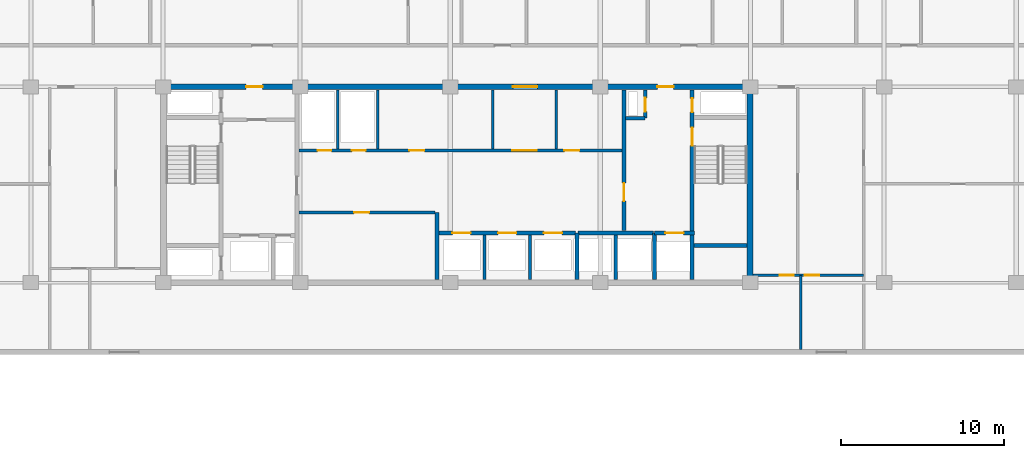
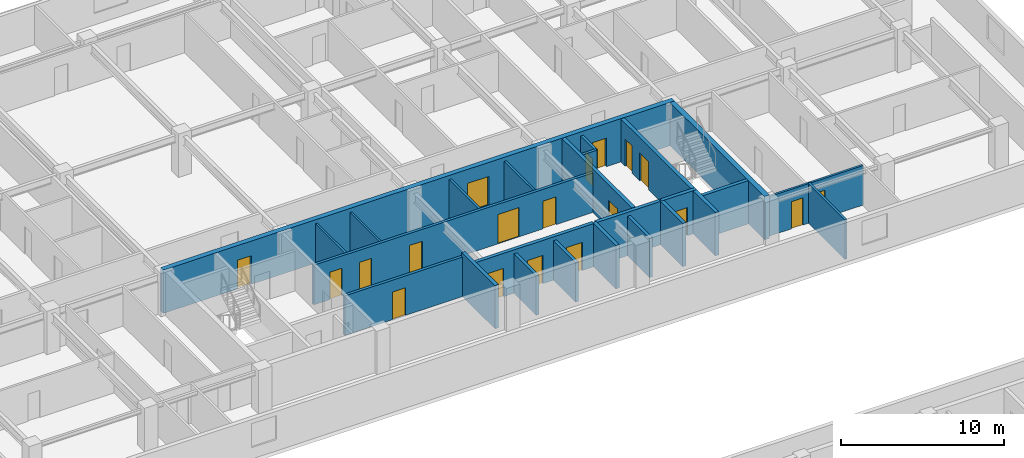
# One storey, part 11 of 21: 24 walls, 19 doors, 19 openings.
"""IFC4 building model written with IfcOpenShell, lengths in metres."""

from ifc_helpers import new_model, si_unit, direction, frame, frame_2d, origin, place, context, subcontext, project, spatial, rectangle, extrude, material, layer, layer_set, type_object, element, fill, save


model = new_model("IFC4")

# Units and contexts
model_context = context("Model", 3, precision=1e-05, world=origin(), true_north=direction((0.0, 1.0)))
body_context = subcontext(model_context, "Body", "Model", "MODEL_VIEW")
ifc_project = project(units=[si_unit("LENGTHUNIT", "METRE"), si_unit("AREAUNIT", "SQUARE_METRE"), si_unit("VOLUMEUNIT", "CUBIC_METRE"), si_unit("PLANEANGLEUNIT", "RADIAN"), si_unit("MASSUNIT", "GRAM", prefix="KILO")], contexts=[model_context])

# Site, building, storey
site_placement = place(None, origin())
site = spatial("IfcSite", under=ifc_project, at=site_placement, CompositionType="ELEMENT")
building_placement = place(site_placement, origin())
building = spatial("IfcBuilding", under=site, at=building_placement, Name="Korimba Cascade Residences", CompositionType="ELEMENT")
storey_placement = place(building_placement, frame((0.0, 0.0, 106.800048828125)))
storey = spatial("IfcBuildingStorey", under=building, at=storey_placement, Name="L30", CompositionType="ELEMENT", Elevation=106.800048828125)

# Wall
ifc_material_1 = material(Name="Concrete C65/80", Category="concrete")
ifc_layer_1 = layer(ifc_material_1, 0.35009765625)
ifc_layer_set_1 = layer_set([ifc_layer_1], Name="Concrete C65/80")
wall_type_1 = type_object("IfcWallType", Name="WAL-CORE-350", PredefinedType="SHEAR", material=ifc_layer_set_1)
wall_1_placement = place(storey_placement, frame((112.074951171875, 55.375, 0.0), z_axis=(0.0, 0.0, 1.0), x_axis=(0.0, 1.0, 0.0)))
element("IfcWall", 1, at=wall_1_placement, inside=storey, type_object=wall_type_1, Name="L30 Core Shear Wall CW-L30-T1-E", PredefinedType="SHEAR", context=body_context, shape_type="SweptSolid", body=[
    extrude(rectangle(XDim=11.64990234375, YDim=0.35009765625, at=frame_2d((5.824951171875, 0.0))), origin(), (0.0, 0.0, 1.0), 3.25),
])

# Wall, openings, doors
wall_2_placement = place(storey_placement, frame((75.949951171875, 67.199951171875, 0.0), z_axis=(0.0, 0.0, 1.0), x_axis=(1.0, 0.0, 0.0)))
wall_2 = element("IfcWall", 2, at=wall_2_placement, inside=storey, type_object=wall_type_1, Name="L30 Core Shear Wall CW-L30-T1-N", PredefinedType="SHEAR", context=body_context, shape_type="SweptSolid", body=[
    extrude(rectangle(XDim=36.300048828125, YDim=0.35009765625, at=frame_2d((18.14990234375, 0.0))), origin(), (0.0, 0.0, 1.0), 3.25),
])
opening_1_placement = place(wall_2_placement, frame((5.25, 0.0, 0.0)))
opening_1 = element("IfcOpeningElement", 3, at=opening_1_placement, cuts=wall_2, Name="Opening D-FD5", PredefinedType="OPENING", context=body_context, shape_type="SweptSolid", body=[
    extrude(rectangle(XDim=1.0, YDim=2.14990234375, at=frame_2d((0.5, 1.074951171875))), frame((0.0, 0.18505859375, 0.0), z_axis=(0.0, -1.0, 0.0), x_axis=(1.0, 0.0, 0.0)), (0.0, 0.0, 1.0), 0.3701171875),
])
opening_2_placement = place(wall_2_placement, frame((21.60009765625, 0.0, 0.0)))
opening_2 = element("IfcOpeningElement", 4, at=opening_2_placement, cuts=wall_2, Name="Opening D-FD8", PredefinedType="OPENING", context=body_context, shape_type="SweptSolid", body=[
    extrude(rectangle(XDim=1.5, YDim=2.199951171875, at=frame_2d((0.75, 1.10009765625))), frame((0.0, 0.18505859375, 0.0), z_axis=(0.0, -1.0, 0.0), x_axis=(1.0, 0.0, 0.0)), (0.0, 0.0, 1.0), 0.3701171875),
])
opening_3_placement = place(wall_2_placement, frame((30.449951171875, 0.0, 0.0)))
opening_3 = element("IfcOpeningElement", 5, at=opening_3_placement, cuts=wall_2, Name="Opening D-FD5", PredefinedType="OPENING", context=body_context, shape_type="SweptSolid", body=[
    extrude(rectangle(XDim=1.0, YDim=2.14990234375, at=frame_2d((0.5, 1.074951171875))), frame((0.0, 0.18505859375, 0.0), z_axis=(0.0, -1.0, 0.0), x_axis=(1.0, 0.0, 0.0)), (0.0, 0.0, 1.0), 0.3701171875),
])
ifc_material_2 = material(Name="Fire-Rated Acoustic Timber Vestibule Door", Category="wood")
door_type_1 = type_object("IfcDoorType", Name="DR-FD90-1000", OperationType="NOTDEFINED", PredefinedType="DOOR", material=ifc_material_2)
door_1_placement = place(opening_1_placement, origin())
door_1 = element("IfcDoor", 6, at=door_1_placement, inside=storey, type_object=door_type_1, Name="L30 T1 West Core Vestibule Fire Door", OperationType="SINGLE_SWING_RIGHT", OverallHeight=2.14990234375, OverallWidth=1.0, PredefinedType="DOOR", context=body_context, shape_type="SweptSolid", body=[
    extrude(rectangle(XDim=1.0, YDim=2.14990234375, at=frame_2d((0.5, 1.074951171875))), frame((0.0, 0.02490234375, 0.0), z_axis=(0.0, -1.0, 0.0), x_axis=(1.0, 0.0, 0.0)), (0.0, 0.0, 1.0), 0.050048828125),
])
fill(opening_1, door_1)
door_2_placement = place(opening_3_placement, origin())
door_2 = element("IfcDoor", 7, at=door_2_placement, inside=storey, type_object=door_type_1, Name="L30 T1 East Firefighting Vestibule Fire Door", OperationType="SINGLE_SWING_LEFT", OverallHeight=2.14990234375, OverallWidth=1.0, PredefinedType="DOOR", context=body_context, shape_type="SweptSolid", body=[
    extrude(rectangle(XDim=1.0, YDim=2.14990234375, at=frame_2d((0.5, 1.074951171875))), frame((0.0, 0.02490234375, 0.0), z_axis=(0.0, -1.0, 0.0), x_axis=(1.0, 0.0, 0.0)), (0.0, 0.0, 1.0), 0.050048828125),
])
fill(opening_3, door_2)
ifc_material_3 = material(Name="Fire-Rated Glazed Lift Lobby Double Door", Category="glass")
door_type_2 = type_object("IfcDoorType", Name="DR-FD90-1500", OperationType="NOTDEFINED", PredefinedType="DOOR", material=ifc_material_3)
door_3_placement = place(opening_2_placement, origin())
door_3 = element("IfcDoor", 8, at=door_3_placement, inside=storey, type_object=door_type_2, Name="L30 T1 Lift Lobby Fire Door", OperationType="DOUBLE_DOOR_SINGLE_SWING", OverallHeight=2.199951171875, OverallWidth=1.5, PredefinedType="DOOR", context=body_context, shape_type="SweptSolid", body=[
    extrude(rectangle(XDim=1.5, YDim=2.199951171875, at=frame_2d((0.75, 1.10009765625))), frame((0.0, 0.02490234375, 0.0), z_axis=(0.0, -1.0, 0.0), x_axis=(1.0, 0.0, 0.0)), (0.0, 0.0, 1.0), 0.050048828125),
])
fill(opening_2, door_3)

# Walls
ifc_material_4 = material(Name="Insulated Acoustic Stud Partition", Category="gypsum")
ifc_layer_2 = layer(ifc_material_4, 0.14990234375)
ifc_layer_set_2 = layer_set([ifc_layer_2], Name="Insulated Acoustic Stud Partition")
wall_type_2 = type_object("IfcWallType", Name="WAL-PART-150", PredefinedType="PARTITIONING", material=ifc_layer_set_2)
for number, where, z_axis, x_axis, name in (
    (9, (86.800048828125, 63.39990234375, 0.0), (0.0, 0.0, 1.0), (0.0, 1.0, 0.0), "L30 Partition Wall CW-L30-T1-ERDIV"),
    (10, (89.25, 63.39990234375, 0.0), (0.0, 0.0, 1.0), (0.0, 1.0, 0.0), "L30 Partition Wall CW-L30-T1-PRDIV"),
    (11, (96.300048828125, 63.39990234375, 0.0), (0.0, 0.0, 1.0), (0.0, 1.0, 0.0), "L30 Partition Wall CW-L30-T1-THW"),
    (12, (100.199951171875, 63.39990234375, 0.0), (0.0, 0.0, 1.0), (0.0, 1.0, 0.0), "L30 Partition Wall CW-L30-T1-THE"),
):
    element("IfcWall", number, at=place(storey_placement, frame(where, z_axis=z_axis, x_axis=x_axis)), inside=storey, type_object=wall_type_2, Name=name, PredefinedType="PARTITIONING", context=body_context, shape_type="SweptSolid", body=[
        extrude(rectangle(XDim=3.60009765625, YDim=0.14990234375, at=frame_2d((1.800048828125, 0.0))), origin(), (0.0, 0.0, 1.0), 2.969970703125),
    ])
wall_3_placement = place(storey_placement, frame((115.199951171875, 51.10009765625, 0.0), z_axis=(0.0, 0.0, 1.0), x_axis=(0.0, 1.0, 0.0)))
element("IfcWall", 13, at=wall_3_placement, inside=storey, type_object=wall_type_2, Name="L30 Partition Wall WAL-L30-T1-FE-VS", PredefinedType="PARTITIONING", context=body_context, shape_type="SweptSolid", body=[
    extrude(rectangle(XDim=4.5498046875, YDim=0.14990234375, at=frame_2d((2.27490234375, 0.0))), origin(), (0.0, 0.0, 1.0), 2.969970703125),
])

# Wall, openings, doors
wall_4_placement = place(storey_placement, frame((112.27001953125, 55.64990234375, 0.0), z_axis=(0.0, 0.0, 1.0), x_axis=(1.0, 0.0, 0.0)))
wall_4 = element("IfcWall", 14, at=wall_4_placement, inside=storey, type_object=wall_type_2, Name="L30 Partition Wall WAL-L30-T1-FE-H", PredefinedType="PARTITIONING", context=body_context, shape_type="SweptSolid", body=[
    extrude(rectangle(XDim=6.760009765625, YDim=0.14990234375, at=frame_2d((3.3798828125, 0.0))), origin(), (0.0, 0.0, 1.0), 2.969970703125),
])
opening_4_placement = place(wall_4_placement, frame((1.6396484375, 0.0, 0.0)))
opening_4 = element("IfcOpeningElement", 15, at=opening_4_placement, cuts=wall_4, Name="Opening D-BT1", PredefinedType="OPENING", context=body_context, shape_type="SweptSolid", body=[
    extrude(rectangle(XDim=0.840087890625, YDim=2.0400390625, at=frame_2d((0.419921875, 1.02001953125))), frame((0.0, 0.0849609375, 0.0), z_axis=(0.0, -1.0, 0.0), x_axis=(1.0, 0.0, 0.0)), (0.0, 0.0, 1.0), 0.169921875),
])
opening_5_placement = place(wall_4_placement, frame((3.160400390625, 0.0, 0.0)))
opening_5 = element("IfcOpeningElement", 16, at=opening_5_placement, cuts=wall_4, Name="Opening D-IN2", PredefinedType="OPENING", context=body_context, shape_type="SweptSolid", body=[
    extrude(rectangle(XDim=0.8798828125, YDim=2.06005859375, at=frame_2d((0.43994140625, 1.030029296875))), frame((0.0, 0.0849609375, 0.0), z_axis=(0.0, -1.0, 0.0), x_axis=(1.0, 0.0, 0.0)), (0.0, 0.0, 1.0), 0.169921875),
])
ifc_material_5 = material(Name="Moisture-Resistant Bathroom Timber Door", Category="wood")
door_type_3 = type_object("IfcDoorType", Name="DR-INT-850", OperationType="NOTDEFINED", PredefinedType="DOOR", material=ifc_material_5)
door_4_placement = place(opening_4_placement, origin())
door_4 = element("IfcDoor", 17, at=door_4_placement, inside=storey, type_object=door_type_3, Name="L30-T1-FE Bathroom Door", OperationType="SINGLE_SWING_RIGHT", OverallHeight=2.0400390625, OverallWidth=0.840087890625, PredefinedType="DOOR", context=body_context, shape_type="SweptSolid", body=[
    extrude(rectangle(XDim=0.840087890625, YDim=2.0400390625, at=frame_2d((0.419921875, 1.02001953125))), frame((0.0, 0.02490234375, 0.0), z_axis=(0.0, -1.0, 0.0), x_axis=(1.0, 0.0, 0.0)), (0.0, 0.0, 1.0), 0.050048828125),
])
fill(opening_4, door_4)
ifc_material_6 = material(Name="Acoustic Timber Bedroom Door", Category="wood")
door_type_4 = type_object("IfcDoorType", Name="DR-INT-880", OperationType="NOTDEFINED", PredefinedType="DOOR", material=ifc_material_6)
door_5_placement = place(opening_5_placement, origin())
door_5 = element("IfcDoor", 18, at=door_5_placement, inside=storey, type_object=door_type_4, Name="L30-T1-FE Bedroom Door", OperationType="SINGLE_SWING_LEFT", OverallHeight=2.06005859375, OverallWidth=0.8798828125, PredefinedType="DOOR", context=body_context, shape_type="SweptSolid", body=[
    extrude(rectangle(XDim=0.8798828125, YDim=2.06005859375, at=frame_2d((0.43994140625, 1.030029296875))), frame((0.0, 0.02490234375, 0.0), z_axis=(0.0, -1.0, 0.0), x_axis=(1.0, 0.0, 0.0)), (0.0, 0.0, 1.0), 0.050048828125),
])
fill(opening_5, door_5)

# Wall, opening, door
ifc_material_7 = material(Name="Concrete C40/50", Category="concrete")
ifc_layer_3 = layer(ifc_material_7, 0.199951171875)
ifc_layer_set_3 = layer_set([ifc_layer_3], Name="Concrete C40/50")
wall_type_3 = type_object("IfcWallType", Name="WAL-PART-200", PredefinedType="PARTITIONING", material=ifc_layer_set_3)
wall_5_placement = place(storey_placement, frame((84.419921875, 59.5, 0.0), z_axis=(0.0, 0.0, 1.0), x_axis=(1.0, 0.0, 0.0)))
wall_5 = element("IfcWall", 19, at=wall_5_placement, inside=storey, type_object=wall_type_3, Name="L30 Partition Wall CW-L30-T1-B1RN", PredefinedType="PARTITIONING", context=body_context, shape_type="SweptSolid", body=[
    extrude(rectangle(XDim=8.360107421875, YDim=0.199951171875, at=frame_2d((4.18017578125, 0.0))), origin(), (0.0, 0.0, 1.0), 2.969970703125),
])
opening_6_placement = place(wall_5_placement, frame((3.39990234375, 0.0, 0.0)))
opening_6 = element("IfcOpeningElement", 20, at=opening_6_placement, cuts=wall_5, Name="Opening D-ST1", PredefinedType="OPENING", context=body_context, shape_type="SweptSolid", body=[
    extrude(rectangle(XDim=0.919921875, YDim=2.080078125, at=frame_2d((0.4599609375, 1.0400390625))), frame((0.0, 0.10986328125, 0.0), z_axis=(0.0, -1.0, 0.0), x_axis=(1.0, 0.0, 0.0)), (0.0, 0.0, 1.0), 0.219970703125),
])
ifc_material_8 = material(Name="Fire-Rated Core Store Door", Category="wood")
door_type_5 = type_object("IfcDoorType", Name="DR-FD60-920", OperationType="NOTDEFINED", PredefinedType="DOOR", material=ifc_material_8)
door_6_placement = place(opening_6_placement, origin())
door_6 = element("IfcDoor", 21, at=door_6_placement, inside=storey, type_object=door_type_5, Name="L30 Resident Storage Door", OperationType="SINGLE_SWING_RIGHT", OverallHeight=2.080078125, OverallWidth=0.919921875, PredefinedType="DOOR", context=body_context, shape_type="SweptSolid", body=[
    extrude(rectangle(XDim=0.919921875, YDim=2.080078125, at=frame_2d((0.4599609375, 1.0400390625))), frame((0.0, 0.02490234375, 0.0), z_axis=(0.0, -1.0, 0.0), x_axis=(1.0, 0.0, 0.0)), (0.0, 0.0, 1.0), 0.050048828125),
])
fill(opening_6, door_6)

# Walls
for number, where, z_axis, x_axis, name in (
    (22, (95.800048828125, 55.39990234375, 0.0), (0.0, 0.0, 1.0), (0.0, 1.0, 0.0), "L30 Partition Wall CW-L30-T1-B2D1"),
    (23, (98.60009765625, 55.39990234375, 0.0), (0.0, 0.0, 1.0), (0.0, 1.0, 0.0), "L30 Partition Wall CW-L30-T1-B2D2"),
    (24, (103.85009765625, 55.39990234375, 0.0), (0.0, 0.0, 1.0), (0.0, 1.0, 0.0), "L30 Partition Wall CW-L30-T1-B3D1"),
):
    element("IfcWall", number, at=place(storey_placement, frame(where, z_axis=z_axis, x_axis=x_axis)), inside=storey, type_object=wall_type_3, Name=name, PredefinedType="PARTITIONING", context=body_context, shape_type="SweptSolid", body=[
        extrude(rectangle(XDim=2.72021484375, YDim=0.199951171875, at=frame_2d((1.360107421875, 0.0))), origin(), (0.0, 0.0, 1.0), 2.969970703125),
    ])

# Wall, openings, doors
wall_6_placement = place(storey_placement, frame((84.419921875, 63.300048828125, 0.0), z_axis=(0.0, 0.0, 1.0), x_axis=(1.0, 0.0, 0.0)))
wall_6 = element("IfcWall", 25, at=wall_6_placement, inside=storey, type_object=wall_type_3, Name="L30 Partition Wall CW-L30-T1-SRVROW", PredefinedType="PARTITIONING", context=body_context, shape_type="SweptSolid", body=[
    extrude(rectangle(XDim=19.830078125, YDim=0.199951171875, at=frame_2d((9.9150390625, 0.0))), origin(), (0.0, 0.0, 1.0), 2.969970703125),
])
opening_7_placement = place(wall_6_placement, frame((1.14990234375, 0.0, 0.0)))
opening_7 = element("IfcOpeningElement", 26, at=opening_7_placement, cuts=wall_6, Name="Opening D-RS1", PredefinedType="OPENING", context=body_context, shape_type="SweptSolid", body=[
    extrude(rectangle(XDim=0.85009765625, YDim=2.050048828125, at=frame_2d((0.425048828125, 1.02490234375))), frame((0.0, 0.10986328125, 0.0), z_axis=(0.0, -1.0, 0.0), x_axis=(1.0, 0.0, 0.0)), (0.0, 0.0, 1.0), 0.219970703125),
])
opening_8_placement = place(wall_6_placement, frame((3.25, 0.0, 0.0)))
opening_8 = element("IfcOpeningElement", 27, at=opening_8_placement, cuts=wall_6, Name="Opening D-RS1", PredefinedType="OPENING", context=body_context, shape_type="SweptSolid", body=[
    extrude(rectangle(XDim=0.85009765625, YDim=2.050048828125, at=frame_2d((0.425048828125, 1.02490234375))), frame((0.0, 0.10986328125, 0.0), z_axis=(0.0, -1.0, 0.0), x_axis=(1.0, 0.0, 0.0)), (0.0, 0.0, 1.0), 0.219970703125),
])
opening_9_placement = place(wall_6_placement, frame((13.080078125, 0.0, 0.0)))
opening_9 = element("IfcOpeningElement", 28, at=opening_9_placement, cuts=wall_6, Name="Opening D-FD8", PredefinedType="OPENING", context=body_context, shape_type="SweptSolid", body=[
    extrude(rectangle(XDim=1.5, YDim=2.199951171875, at=frame_2d((0.75, 1.10009765625))), frame((0.0, 0.10986328125, 0.0), z_axis=(0.0, -1.0, 0.0), x_axis=(1.0, 0.0, 0.0)), (0.0, 0.0, 1.0), 0.219970703125),
])
opening_10_placement = place(wall_6_placement, frame((6.780029296875, 0.0, 0.0)))
opening_10 = element("IfcOpeningElement", 29, at=opening_10_placement, cuts=wall_6, Name="Opening D-IN1", PredefinedType="OPENING", context=body_context, shape_type="SweptSolid", body=[
    extrude(rectangle(XDim=0.919921875, YDim=2.080078125, at=frame_2d((0.4599609375, 1.0400390625))), frame((0.0, 0.10986328125, 0.0), z_axis=(0.0, -1.0, 0.0), x_axis=(1.0, 0.0, 0.0)), (0.0, 0.0, 1.0), 0.219970703125),
])
opening_11_placement = place(wall_6_placement, frame((16.280029296875, 0.0, 0.0)))
opening_11 = element("IfcOpeningElement", 30, at=opening_11_placement, cuts=wall_6, Name="Opening D-IN1", PredefinedType="OPENING", context=body_context, shape_type="SweptSolid", body=[
    extrude(rectangle(XDim=0.919921875, YDim=2.080078125, at=frame_2d((0.4599609375, 1.0400390625))), frame((0.0, 0.10986328125, 0.0), z_axis=(0.0, -1.0, 0.0), x_axis=(1.0, 0.0, 0.0)), (0.0, 0.0, 1.0), 0.219970703125),
])
ifc_material_9 = material(Name="Fire-Rated Steel Riser Access Door", Category="steel")
door_type_6 = type_object("IfcDoorType", Name="DR-FD60-850", OperationType="NOTDEFINED", PredefinedType="DOOR", material=ifc_material_9)
door_7_placement = place(opening_7_placement, origin())
door_7 = element("IfcDoor", 31, at=door_7_placement, inside=storey, type_object=door_type_6, Name="L30 Electrical Riser Door", OperationType="SINGLE_SWING_LEFT", OverallHeight=2.050048828125, OverallWidth=0.85009765625, PredefinedType="DOOR", context=body_context, shape_type="SweptSolid", body=[
    extrude(rectangle(XDim=0.85009765625, YDim=2.050048828125, at=frame_2d((0.425048828125, 1.02490234375))), frame((0.0, 0.02490234375, 0.0), z_axis=(0.0, -1.0, 0.0), x_axis=(1.0, 0.0, 0.0)), (0.0, 0.0, 1.0), 0.050048828125),
])
fill(opening_7, door_7)
door_8_placement = place(opening_8_placement, origin())
door_8 = element("IfcDoor", 32, at=door_8_placement, inside=storey, type_object=door_type_6, Name="L30 Plumbing Riser Door", OperationType="SINGLE_SWING_RIGHT", OverallHeight=2.050048828125, OverallWidth=0.85009765625, PredefinedType="DOOR", context=body_context, shape_type="SweptSolid", body=[
    extrude(rectangle(XDim=0.85009765625, YDim=2.050048828125, at=frame_2d((0.425048828125, 1.02490234375))), frame((0.0, 0.02490234375, 0.0), z_axis=(0.0, -1.0, 0.0), x_axis=(1.0, 0.0, 0.0)), (0.0, 0.0, 1.0), 0.050048828125),
])
fill(opening_8, door_8)
door_9_placement = place(opening_9_placement, origin())
door_9 = element("IfcDoor", 33, at=door_9_placement, inside=storey, type_object=door_type_2, Name="L30 Lift Lobby Foyer Archway Door", OperationType="DOUBLE_DOOR_SINGLE_SWING", OverallHeight=2.199951171875, OverallWidth=1.5, PredefinedType="DOOR", context=body_context, shape_type="SweptSolid", body=[
    extrude(rectangle(XDim=1.5, YDim=2.199951171875, at=frame_2d((0.75, 1.10009765625))), frame((0.0, 0.02490234375, 0.0), z_axis=(0.0, -1.0, 0.0), x_axis=(1.0, 0.0, 0.0)), (0.0, 0.0, 1.0), 0.050048828125),
])
fill(opening_9, door_9)
ifc_material_10 = material(Name="Acoustic Timber Living Door", Category="wood")
door_type_7 = type_object("IfcDoorType", Name="DR-INT-920", OperationType="NOTDEFINED", PredefinedType="DOOR", material=ifc_material_10)
door_10_placement = place(opening_10_placement, origin())
door_10 = element("IfcDoor", 34, at=door_10_placement, inside=storey, type_object=door_type_7, Name="L30 Housekeeping Door", OperationType="SINGLE_SWING_LEFT", OverallHeight=2.080078125, OverallWidth=0.919921875, PredefinedType="DOOR", context=body_context, shape_type="SweptSolid", body=[
    extrude(rectangle(XDim=0.919921875, YDim=2.080078125, at=frame_2d((0.4599609375, 1.0400390625))), frame((0.0, 0.02490234375, 0.0), z_axis=(0.0, -1.0, 0.0), x_axis=(1.0, 0.0, 0.0)), (0.0, 0.0, 1.0), 0.050048828125),
])
fill(opening_10, door_10)
door_11_placement = place(opening_11_placement, origin())
door_11 = element("IfcDoor", 35, at=door_11_placement, inside=storey, type_object=door_type_7, Name="L30 Store Door", OperationType="SINGLE_SWING_RIGHT", OverallHeight=2.080078125, OverallWidth=0.919921875, PredefinedType="DOOR", context=body_context, shape_type="SweptSolid", body=[
    extrude(rectangle(XDim=0.919921875, YDim=2.080078125, at=frame_2d((0.4599609375, 1.0400390625))), frame((0.0, 0.02490234375, 0.0), z_axis=(0.0, -1.0, 0.0), x_axis=(1.0, 0.0, 0.0)), (0.0, 0.0, 1.0), 0.050048828125),
])
fill(opening_11, door_11)

# Wall
wall_7_placement = place(storey_placement, frame((104.449951171875, 65.280029296875, 0.0), z_axis=(0.0, 0.0, 1.0), x_axis=(1.0, 0.0, 0.0)))
element("IfcWall", 36, at=wall_7_placement, inside=storey, type_object=wall_type_3, Name="L30 Partition Wall CW-L30-T1-HYDW2S", PredefinedType="PARTITIONING", context=body_context, shape_type="SweptSolid", body=[
    extrude(rectangle(XDim=1.199951171875, YDim=0.199951171875, at=frame_2d((0.60009765625, 0.0))), origin(), (0.0, 0.0, 1.0), 2.969970703125),
])

# Wall, opening, door
wall_8_placement = place(storey_placement, frame((105.64990234375, 65.280029296875, 0.0), z_axis=(0.0, 0.0, 1.0), x_axis=(0.0, 1.0, 0.0)))
wall_8 = element("IfcWall", 37, at=wall_8_placement, inside=storey, type_object=wall_type_3, Name="L30 Partition Wall CW-L30-T1-HYDW2E", PredefinedType="PARTITIONING", context=body_context, shape_type="SweptSolid", body=[
    extrude(rectangle(XDim=1.719970703125, YDim=0.199951171875, at=frame_2d((0.85986328125, 0.0))), origin(), (0.0, 0.0, 1.0), 2.969970703125),
])
opening_12_placement = place(wall_8_placement, frame((0.39990234375, 0.0, 0.0)))
opening_12 = element("IfcOpeningElement", 38, at=opening_12_placement, cuts=wall_8, Name="Opening D-RS1", PredefinedType="OPENING", context=body_context, shape_type="SweptSolid", body=[
    extrude(rectangle(XDim=0.85009765625, YDim=2.050048828125, at=frame_2d((0.425048828125, 1.02490234375))), frame((0.0, 0.10986328125, 0.0), z_axis=(0.0, -1.0, 0.0), x_axis=(1.0, 0.0, 0.0)), (0.0, 0.0, 1.0), 0.219970703125),
])
door_12_placement = place(opening_12_placement, origin())
door_12 = element("IfcDoor", 39, at=door_12_placement, inside=storey, type_object=door_type_6, Name="L30 East Hydrant Door", OperationType="SINGLE_SWING_LEFT", OverallHeight=2.050048828125, OverallWidth=0.85009765625, PredefinedType="DOOR", context=body_context, shape_type="SweptSolid", body=[
    extrude(rectangle(XDim=0.85009765625, YDim=2.050048828125, at=frame_2d((0.425048828125, 1.02490234375))), frame((0.0, 0.02490234375, 0.0), z_axis=(0.0, -1.0, 0.0), x_axis=(1.0, 0.0, 0.0)), (0.0, 0.0, 1.0), 0.050048828125),
])
fill(opening_12, door_12)

# Wall
ifc_material_11 = material(Name="Concrete C50/60", Category="concrete")
ifc_layer_4 = layer(ifc_material_11, 0.25)
ifc_layer_set_4 = layer_set([ifc_layer_4], Name="Concrete C50/60")
wall_type_4 = type_object("IfcWallType", Name="WAL-SHAFT-250", PredefinedType="SHEAR", material=ifc_layer_set_4)
wall_9_placement = place(storey_placement, frame((92.89990234375, 55.39990234375, 0.0), z_axis=(0.0, 0.0, 1.0), x_axis=(0.0, 1.0, 0.0)))
element("IfcWall", 40, at=wall_9_placement, inside=storey, type_object=wall_type_4, Name="L30 Core Shear Wall CW-L30-T1-B12DIV", PredefinedType="SHEAR", context=body_context, shape_type="SweptSolid", body=[
    extrude(rectangle(XDim=4.10009765625, YDim=0.25, at=frame_2d((2.050048828125, 0.0))), origin(), (0.0, 0.0, 1.0), 3.25),
])

# Wall, openings, doors
wall_10_placement = place(storey_placement, frame((93.02001953125, 58.25, 0.0), z_axis=(0.0, 0.0, 1.0), x_axis=(1.0, 0.0, 0.0)))
wall_10 = element("IfcWall", 41, at=wall_10_placement, inside=storey, type_object=wall_type_4, Name="L30 Core Shear Wall CW-L30-T1-B2N", PredefinedType="SHEAR", context=body_context, shape_type="SweptSolid", body=[
    extrude(rectangle(XDim=8.35986328125, YDim=0.25, at=frame_2d((4.179931640625, 0.0))), origin(), (0.0, 0.0, 1.0), 3.25),
])
opening_13_placement = place(wall_10_placement, frame((0.820068359375, 0.0, 0.0)))
opening_13 = element("IfcOpeningElement", 42, at=opening_13_placement, cuts=wall_10, Name="Opening LD-01", PredefinedType="OPENING", context=body_context, shape_type="SweptSolid", body=[
    extrude(rectangle(XDim=1.1201171875, YDim=2.1201171875, at=frame_2d((0.56005859375, 1.06005859375))), frame((0.0, 0.135009765625, 0.0), z_axis=(0.0, -1.0, 0.0), x_axis=(1.0, 0.0, 0.0)), (0.0, 0.0, 1.0), 0.27001953125),
])
opening_14_placement = place(wall_10_placement, frame((3.6201171875, 0.0, 0.0)))
opening_14 = element("IfcOpeningElement", 43, at=opening_14_placement, cuts=wall_10, Name="Opening LD-01", PredefinedType="OPENING", context=body_context, shape_type="SweptSolid", body=[
    extrude(rectangle(XDim=1.1201171875, YDim=2.1201171875, at=frame_2d((0.56005859375, 1.06005859375))), frame((0.0, 0.135009765625, 0.0), z_axis=(0.0, -1.0, 0.0), x_axis=(1.0, 0.0, 0.0)), (0.0, 0.0, 1.0), 0.27001953125),
])
opening_15_placement = place(wall_10_placement, frame((6.419921875, 0.0, 0.0)))
opening_15 = element("IfcOpeningElement", 44, at=opening_15_placement, cuts=wall_10, Name="Opening LD-01", PredefinedType="OPENING", context=body_context, shape_type="SweptSolid", body=[
    extrude(rectangle(XDim=1.1201171875, YDim=2.1201171875, at=frame_2d((0.56005859375, 1.06005859375))), frame((0.0, 0.135009765625, 0.0), z_axis=(0.0, -1.0, 0.0), x_axis=(1.0, 0.0, 0.0)), (0.0, 0.0, 1.0), 0.27001953125),
])
ifc_material_12 = material(Name="Stainless Steel Lift Landing Sliding Door", Category="steel")
door_type_8 = type_object("IfcDoorType", Name="DR-LIFT-1100", OperationType="NOTDEFINED", PredefinedType="DOOR", material=ifc_material_12)
door_13_placement = place(opening_13_placement, origin())
door_13 = element("IfcDoor", 45, at=door_13_placement, inside=storey, type_object=door_type_8, Name="L30 Lift Landing Door PL-W4", OperationType="SLIDING_TO_RIGHT", OverallHeight=2.1201171875, OverallWidth=1.1201171875, PredefinedType="DOOR", context=body_context, shape_type="SweptSolid", body=[
    extrude(rectangle(XDim=1.1201171875, YDim=2.1201171875, at=frame_2d((0.56005859375, 1.06005859375))), frame((0.0, 0.02490234375, 0.0), z_axis=(0.0, -1.0, 0.0), x_axis=(1.0, 0.0, 0.0)), (0.0, 0.0, 1.0), 0.050048828125),
])
fill(opening_13, door_13)
door_14_placement = place(opening_14_placement, origin())
door_14 = element("IfcDoor", 46, at=door_14_placement, inside=storey, type_object=door_type_8, Name="L30 Lift Landing Door PL-W5", OperationType="SLIDING_TO_RIGHT", OverallHeight=2.1201171875, OverallWidth=1.1201171875, PredefinedType="DOOR", context=body_context, shape_type="SweptSolid", body=[
    extrude(rectangle(XDim=1.1201171875, YDim=2.1201171875, at=frame_2d((0.56005859375, 1.06005859375))), frame((0.0, 0.02490234375, 0.0), z_axis=(0.0, -1.0, 0.0), x_axis=(1.0, 0.0, 0.0)), (0.0, 0.0, 1.0), 0.050048828125),
])
fill(opening_14, door_14)
door_15_placement = place(opening_15_placement, origin())
door_15 = element("IfcDoor", 47, at=door_15_placement, inside=storey, type_object=door_type_8, Name="L30 Lift Landing Door PL-W6", OperationType="SLIDING_TO_RIGHT", OverallHeight=2.1201171875, OverallWidth=1.1201171875, PredefinedType="DOOR", context=body_context, shape_type="SweptSolid", body=[
    extrude(rectangle(XDim=1.1201171875, YDim=2.1201171875, at=frame_2d((0.56005859375, 1.06005859375))), frame((0.0, 0.02490234375, 0.0), z_axis=(0.0, -1.0, 0.0), x_axis=(1.0, 0.0, 0.0)), (0.0, 0.0, 1.0), 0.050048828125),
])
fill(opening_15, door_15)

# Walls
wall_11_placement = place(storey_placement, frame((101.47998046875, 55.39990234375, 0.0), z_axis=(0.0, 0.0, 1.0), x_axis=(0.0, 1.0, 0.0)))
element("IfcWall", 48, at=wall_11_placement, inside=storey, type_object=wall_type_4, Name="L30 Core Shear Wall CW-L30-T1-B23DIV", PredefinedType="SHEAR", context=body_context, shape_type="SweptSolid", body=[
    extrude(rectangle(XDim=2.85009765625, YDim=0.25, at=frame_2d((1.425048828125, 0.0))), origin(), (0.0, 0.0, 1.0), 3.25),
])
wall_12_placement = place(storey_placement, frame((101.550048828125, 58.25, 0.0), z_axis=(0.0, 0.0, 1.0), x_axis=(1.0, 0.0, 0.0)))
element("IfcWall", 49, at=wall_12_placement, inside=storey, type_object=wall_type_4, Name="L30 Core Shear Wall CW-L30-T1-B3N", PredefinedType="SHEAR", context=body_context, shape_type="SweptSolid", body=[
    extrude(rectangle(XDim=4.599853515625, YDim=0.25, at=frame_2d((2.2998046875, 0.0))), origin(), (0.0, 0.0, 1.0), 3.25),
])
wall_13_placement = place(storey_placement, frame((106.219970703125, 55.39990234375, 0.0), z_axis=(0.0, 0.0, 1.0), x_axis=(0.0, 1.0, 0.0)))
element("IfcWall", 50, at=wall_13_placement, inside=storey, type_object=wall_type_4, Name="L30 Core Shear Wall CW-L30-T1-FF2W", PredefinedType="SHEAR", context=body_context, shape_type="SweptSolid", body=[
    extrude(rectangle(XDim=2.85009765625, YDim=0.25, at=frame_2d((1.425048828125, 0.0))), origin(), (0.0, 0.0, 1.0), 3.25),
])

# Wall, opening, door
wall_14_placement = place(storey_placement, frame((106.219970703125, 58.25, 0.0), z_axis=(0.0, 0.0, 1.0), x_axis=(1.0, 0.0, 0.0)))
wall_14 = element("IfcWall", 51, at=wall_14_placement, inside=storey, type_object=wall_type_4, Name="L30 Core Shear Wall CW-L30-T1-FF2N", PredefinedType="SHEAR", context=body_context, shape_type="SweptSolid", body=[
    extrude(rectangle(XDim=2.4599609375, YDim=0.25, at=frame_2d((1.22998046875, 0.0))), origin(), (0.0, 0.0, 1.0), 3.25),
])
opening_16_placement = place(wall_14_placement, frame((0.669921875, 0.0, 0.0)))
opening_16 = element("IfcOpeningElement", 52, at=opening_16_placement, cuts=wall_14, Name="Opening LD-01", PredefinedType="OPENING", context=body_context, shape_type="SweptSolid", body=[
    extrude(rectangle(XDim=1.1201171875, YDim=2.1201171875, at=frame_2d((0.56005859375, 1.06005859375))), frame((0.0, 0.135009765625, 0.0), z_axis=(0.0, -1.0, 0.0), x_axis=(1.0, 0.0, 0.0)), (0.0, 0.0, 1.0), 0.27001953125),
])
door_16_placement = place(opening_16_placement, origin())
door_16 = element("IfcDoor", 53, at=door_16_placement, inside=storey, type_object=door_type_8, Name="L30 Firefighting Lift Landing Door FFL-W2", OperationType="SLIDING_TO_RIGHT", OverallHeight=2.1201171875, OverallWidth=1.1201171875, PredefinedType="DOOR", context=body_context, shape_type="SweptSolid", body=[
    extrude(rectangle(XDim=1.1201171875, YDim=2.1201171875, at=frame_2d((0.56005859375, 1.06005859375))), frame((0.0, 0.02490234375, 0.0), z_axis=(0.0, -1.0, 0.0), x_axis=(1.0, 0.0, 0.0)), (0.0, 0.0, 1.0), 0.050048828125),
])
fill(opening_16, door_16)

wall_15_placement = place(storey_placement, frame((104.35009765625, 58.39990234375, 0.0), z_axis=(0.0, 0.0, 1.0), x_axis=(0.0, 1.0, 0.0)))
wall_15 = element("IfcWall", 54, at=wall_15_placement, inside=storey, type_object=wall_type_4, Name="L30 Core Shear Wall CW-L30-T1-LLEV", PredefinedType="SHEAR", context=body_context, shape_type="SweptSolid", body=[
    extrude(rectangle(XDim=8.60009765625, YDim=0.25, at=frame_2d((4.300048828125, 0.0))), origin(), (0.0, 0.0, 1.0), 3.25),
])
opening_17_placement = place(wall_15_placement, frame((1.800048828125, 0.0, 0.0)))
opening_17 = element("IfcOpeningElement", 55, at=opening_17_placement, cuts=wall_15, Name="Opening D-FD1", PredefinedType="OPENING", context=body_context, shape_type="SweptSolid", body=[
    extrude(rectangle(XDim=1.10009765625, YDim=2.10009765625, at=frame_2d((0.550048828125, 1.050048828125))), frame((0.0, 0.135009765625, 0.0), z_axis=(0.0, -1.0, 0.0), x_axis=(1.0, 0.0, 0.0)), (0.0, 0.0, 1.0), 0.27001953125),
])
ifc_material_13 = material(Name="Fire-Rated Steel Core Door", Category="steel")
door_type_9 = type_object("IfcDoorType", Name="DR-FD120-1100", OperationType="NOTDEFINED", PredefinedType="DOOR", material=ifc_material_13)
door_17_placement = place(opening_17_placement, origin())
door_17 = element("IfcDoor", 56, at=door_17_placement, inside=storey, type_object=door_type_9, Name="L30 Lift Lobby to East Firefighting Lobby Door", OperationType="SINGLE_SWING_RIGHT", OverallHeight=2.10009765625, OverallWidth=1.10009765625, PredefinedType="DOOR", context=body_context, shape_type="SweptSolid", body=[
    extrude(rectangle(XDim=1.10009765625, YDim=2.10009765625, at=frame_2d((0.550048828125, 1.050048828125))), frame((0.0, 0.02490234375, 0.0), z_axis=(0.0, -1.0, 0.0), x_axis=(1.0, 0.0, 0.0)), (0.0, 0.0, 1.0), 0.050048828125),
])
fill(opening_17, door_17)

# Wall, openings, doors
wall_16_placement = place(storey_placement, frame((108.534912109375, 55.39990234375, 0.0), z_axis=(0.0, 0.0, 1.0), x_axis=(0.0, 1.0, 0.0)))
wall_16 = element("IfcWall", 57, at=wall_16_placement, inside=storey, type_object=wall_type_4, Name="L30 Core Shear Wall CW-L30-T1-STW2W", PredefinedType="SHEAR", context=body_context, shape_type="SweptSolid", body=[
    extrude(rectangle(XDim=11.60009765625, YDim=0.25, at=frame_2d((5.800048828125, 0.0))), origin(), (0.0, 0.0, 1.0), 3.25),
])
opening_18_placement = place(wall_16_placement, frame((8.199951171875, 0.0, 0.0)))
opening_18 = element("IfcOpeningElement", 58, at=opening_18_placement, cuts=wall_16, Name="Opening D-FD1", PredefinedType="OPENING", context=body_context, shape_type="SweptSolid", body=[
    extrude(rectangle(XDim=1.10009765625, YDim=2.10009765625, at=frame_2d((0.550048828125, 1.050048828125))), frame((0.0, 0.135009765625, 0.0), z_axis=(0.0, -1.0, 0.0), x_axis=(1.0, 0.0, 0.0)), (0.0, 0.0, 1.0), 0.27001953125),
])
opening_19_placement = place(wall_16_placement, frame((10.25, 0.0, 0.0)))
opening_19 = element("IfcOpeningElement", 59, at=opening_19_placement, cuts=wall_16, Name="Opening D-RS1", PredefinedType="OPENING", context=body_context, shape_type="SweptSolid", body=[
    extrude(rectangle(XDim=0.85009765625, YDim=2.050048828125, at=frame_2d((0.425048828125, 1.02490234375))), frame((0.0, 0.135009765625, 0.0), z_axis=(0.0, -1.0, 0.0), x_axis=(1.0, 0.0, 0.0)), (0.0, 0.0, 1.0), 0.27001953125),
])
door_18_placement = place(opening_18_placement, origin())
door_18 = element("IfcDoor", 60, at=door_18_placement, inside=storey, type_object=door_type_9, Name="L30 Fire Stair ST-W2 Door", OperationType="SINGLE_SWING_LEFT", OverallHeight=2.10009765625, OverallWidth=1.10009765625, PredefinedType="DOOR", context=body_context, shape_type="SweptSolid", body=[
    extrude(rectangle(XDim=1.10009765625, YDim=2.10009765625, at=frame_2d((0.550048828125, 1.050048828125))), frame((0.0, 0.02490234375, 0.0), z_axis=(0.0, -1.0, 0.0), x_axis=(1.0, 0.0, 0.0)), (0.0, 0.0, 1.0), 0.050048828125),
])
fill(opening_18, door_18)
door_19_placement = place(opening_19_placement, origin())
door_19 = element("IfcDoor", 61, at=door_19_placement, inside=storey, type_object=door_type_6, Name="L30 East Riser Door", OperationType="SINGLE_SWING_RIGHT", OverallHeight=2.050048828125, OverallWidth=0.85009765625, PredefinedType="DOOR", context=body_context, shape_type="SweptSolid", body=[
    extrude(rectangle(XDim=0.85009765625, YDim=2.050048828125, at=frame_2d((0.425048828125, 1.02490234375))), frame((0.0, 0.02490234375, 0.0), z_axis=(0.0, -1.0, 0.0), x_axis=(1.0, 0.0, 0.0)), (0.0, 0.0, 1.0), 0.050048828125),
])
fill(opening_19, door_19)

# Wall
wall_17_placement = place(storey_placement, frame((108.659912109375, 57.47509765625, 0.0), z_axis=(0.0, 0.0, 1.0), x_axis=(1.0, 0.0, 0.0)))
element("IfcWall", 62, at=wall_17_placement, inside=storey, type_object=wall_type_4, Name="L30 Core Shear Wall CW-L30-T1-STW2S", PredefinedType="SHEAR", context=body_context, shape_type="SweptSolid", body=[
    extrude(rectangle(XDim=3.239990234375, YDim=0.25, at=frame_2d((1.6201171875, 0.0))), origin(), (0.0, 0.0, 1.0), 3.25),
])

save(model, "model.ifc")
